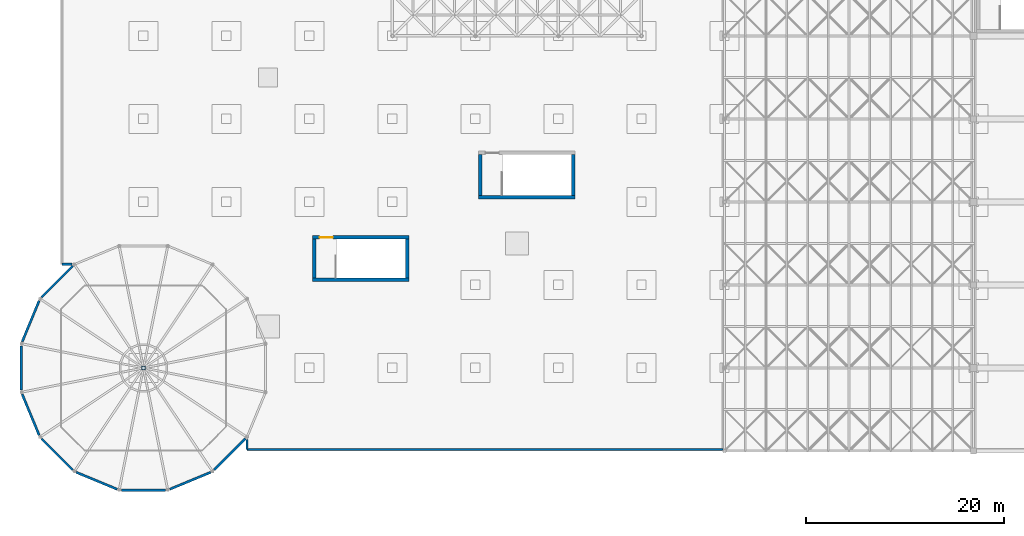
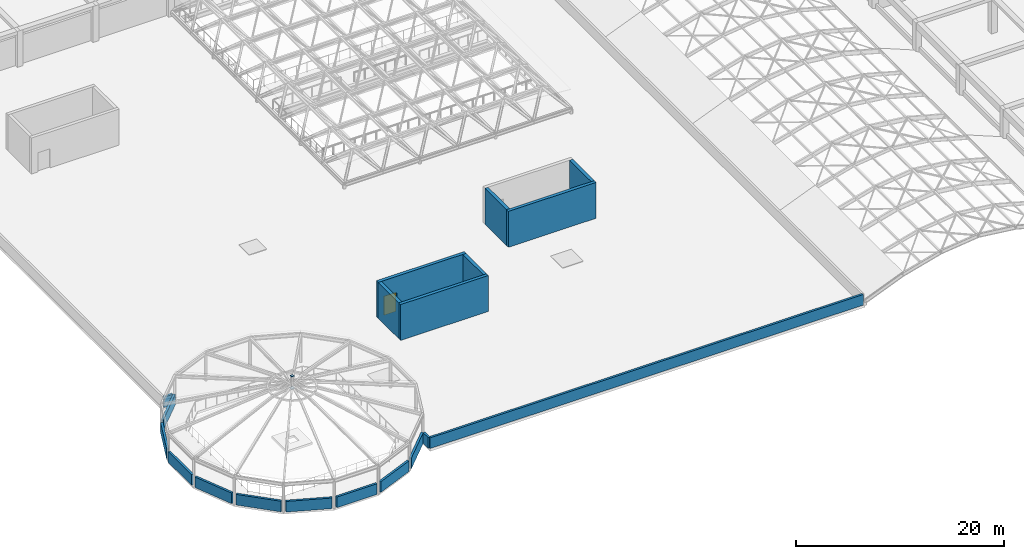
# One storey, part 73 of 85: 19 walls, 2 plates, 1 door, 1 opening.
"""IFC4 building model written with IfcOpenShell, lengths in metres."""

from ifc_helpers import new_model, si_unit, direction, frame, frame_2d, origin, origin_2d, place, context, subcontext, project, spatial, rectangle, extrude, material, layer, layer_set, type_object, element, fill, save


model = new_model("IFC4")

# Units and contexts
model_context = context("Model", 3, precision=1e-05, world=origin(), true_north=direction((0.0, 1.0)))
body_context = subcontext(model_context, "Body", "Model", "MODEL_VIEW")
ifc_project = project(units=[si_unit("LENGTHUNIT", "METRE"), si_unit("AREAUNIT", "SQUARE_METRE"), si_unit("VOLUMEUNIT", "CUBIC_METRE"), si_unit("PLANEANGLEUNIT", "RADIAN"), si_unit("MASSUNIT", "GRAM", prefix="KILO")], contexts=[model_context])

# Site, building, storey
site_placement = place(None, origin())
site = spatial("IfcSite", under=ifc_project, at=site_placement, CompositionType="ELEMENT")
building_placement = place(site_placement, origin())
building = spatial("IfcBuilding", under=site, at=building_placement, Name="Almacenes y Pasaje Nevantli", CompositionType="ELEMENT")
storey_placement = place(building_placement, frame((0.0, 0.0, 22.199951171875)))
storey = spatial("IfcBuildingStorey", under=building, at=storey_placement, Name="L05", CompositionType="ELEMENT", Elevation=22.199951171875)

# Plates
ifc_material_1 = material(Name="Steel ASTM A500 Grade C", Category="steel")
ifc_layer_1 = layer(ifc_material_1, 0.02490234375)
ifc_layer_set_1 = layer_set([ifc_layer_1], Name="Steel ASTM A500 Grade C")
plate_type_1 = type_object("IfcPlateType", Name="PL-STL-BASE25", PredefinedType="SHEET", material=ifc_layer_set_1)
plate_1_placement = place(storey_placement, frame((8.39990234375, 8.39990234375, 5.72265625), z_axis=(0.0, 0.0, 1.0), x_axis=(1.0, 0.0, 0.0)))
element("IfcPlate", 1, at=plate_1_placement, inside=storey, type_object=plate_type_1, Name="Rotunda Apex Finial Spire Welded Base Seat Plate", PredefinedType="SHEET", context=body_context, shape_type="SweptSolid", body=[
    extrude(rectangle(XDim=0.419921875, YDim=0.419921875, at=origin_2d()), origin(), (0.0, 0.0, 1.0), 0.02490234375),
])
ifc_material_2 = material(Name="Steel ASTM A500 Grade C", Category="steel")
ifc_layer_2 = layer(ifc_material_2, 0.02001953125)
ifc_layer_set_2 = layer_set([ifc_layer_2], Name="Steel ASTM A500 Grade C")
plate_type_2 = type_object("IfcPlateType", Name="PL-STL-CAP20", PredefinedType="SHEET", material=ifc_layer_set_2)
plate_2_placement = place(storey_placement, frame((8.39990234375, 8.39990234375, 7.150146484375), z_axis=(0.0, 0.0, 1.0), x_axis=(1.0, 0.0, 0.0)))
element("IfcPlate", 2, at=plate_2_placement, inside=storey, type_object=plate_type_2, Name="Rotunda Apex Finial Spire Welded Top Cap Plate", PredefinedType="SHEET", context=body_context, shape_type="SweptSolid", body=[
    extrude(rectangle(XDim=0.300048828125, YDim=0.300048828125, at=origin_2d()), origin(), (0.0, 0.0, 1.0), 0.02001953125),
])

# Wall
ifc_material_3 = material(Name="Concrete C45/55", Category="concrete")
ifc_layer_3 = layer(ifc_material_3, 0.35009765625)
ifc_layer_set_3 = layer_set([ifc_layer_3], Name="Concrete C45/55")
wall_type_1 = type_object("IfcWallType", Name="WL-CORE-350", PredefinedType="SHEAR", material=ifc_layer_set_3)
wall_1_placement = place(storey_placement, frame((25.5, 17.324951171875, 0.0), z_axis=(0.0, 0.0, 1.0), x_axis=(1.0, 0.0, 0.0)))
element("IfcWall", 3, at=wall_1_placement, inside=storey, type_object=wall_type_1, Name="L05 Exit Stair ST-04 South Core Shear Wall", PredefinedType="SHEAR", context=body_context, shape_type="SweptSolid", body=[
    extrude(rectangle(XDim=9.75, YDim=0.35009765625, at=frame_2d((4.875, 0.0))), origin(), (0.0, 0.0, 1.0), 4.219970703125),
])

# Wall, opening, door
wall_2_placement = place(storey_placement, frame((25.5, 21.625, 0.0), z_axis=(0.0, 0.0, 1.0), x_axis=(1.0, 0.0, 0.0)))
wall_2 = element("IfcWall", 4, at=wall_2_placement, inside=storey, type_object=wall_type_1, Name="L05 Exit Stair ST-04 North Core Shear Wall", PredefinedType="SHEAR", context=body_context, shape_type="SweptSolid", body=[
    extrude(rectangle(XDim=9.75, YDim=0.35009765625, at=frame_2d((4.875, 0.0))), origin(), (0.0, 0.0, 1.0), 4.219970703125),
])
opening_placement = place(wall_2_placement, frame((0.719970703125, 0.0, 0.0)))
opening = element("IfcOpeningElement", 5, at=opening_placement, cuts=wall_2, Name="Opening SD-04-L05", PredefinedType="OPENING", context=body_context, shape_type="SweptSolid", body=[
    extrude(rectangle(XDim=1.35009765625, YDim=2.25, at=frame_2d((0.675048828125, 1.125))), frame((0.0, 0.18505859375, 0.0), z_axis=(0.0, -1.0, 0.0), x_axis=(1.0, 0.0, 0.0)), (0.0, 0.0, 1.0), 0.3701171875),
])
ifc_material_4 = material(Name="Galvanized Fire-Rated Steel", Category="steel")
door_type = type_object("IfcDoorType", Name="DR-STAIR-1350R", OperationType="SINGLE_SWING_RIGHT", PredefinedType="DOOR", material=ifc_material_4)
door_placement = place(opening_placement, origin())
door = element("IfcDoor", 6, at=door_placement, inside=storey, type_object=door_type, Name="L05 Smokeproof Exit Stair ST-04 Fire Door", OperationType="SINGLE_SWING_RIGHT", OverallHeight=2.25, OverallWidth=1.35009765625, PredefinedType="DOOR", context=body_context, shape_type="SweptSolid", body=[
    extrude(rectangle(XDim=1.35009765625, YDim=2.25, at=frame_2d((0.675048828125, 1.125))), frame((0.0, 0.02490234375, 0.0), z_axis=(0.0, -1.0, 0.0), x_axis=(1.0, 0.0, 0.0)), (0.0, 0.0, 1.0), 0.050048828125),
])
fill(opening, door)

# Walls
for number, where, z_axis, x_axis, name in (
    (7, (25.675048828125, 17.5, 0.0), (0.0, 0.0, 1.0), (0.0, 1.0, 0.0), "L05 Exit Stair ST-04 West Core Shear Wall"),
    (8, (35.074951171875, 17.5, 0.0), (0.0, 0.0, 1.0), (0.0, 1.0, 0.0), "L05 Exit Stair ST-04 East Core Shear Wall"),
):
    element("IfcWall", number, at=place(storey_placement, frame(where, z_axis=z_axis, x_axis=x_axis)), inside=storey, type_object=wall_type_1, Name=name, PredefinedType="SHEAR", context=body_context, shape_type="SweptSolid", body=[
        extrude(rectangle(XDim=3.949951171875, YDim=0.35009765625, at=frame_2d((1.97509765625, 0.0))), origin(), (0.0, 0.0, 1.0), 4.219970703125),
    ])
wall_3_placement = place(storey_placement, frame((42.300048828125, 25.675048828125, 0.0), z_axis=(0.0, 0.0, 1.0), x_axis=(1.0, 0.0, 0.0)))
element("IfcWall", 9, at=wall_3_placement, inside=storey, type_object=wall_type_1, Name="L05 Exit Stair ST-14 South Core Shear Wall", PredefinedType="SHEAR", context=body_context, shape_type="SweptSolid", body=[
    extrude(rectangle(XDim=9.75, YDim=0.35009765625, at=frame_2d((4.875, 0.0))), origin(), (0.0, 0.0, 1.0), 4.219970703125),
])
for number, where, z_axis, x_axis, name in (
    (10, (42.47509765625, 25.85009765625, 0.0), (0.0, 0.0, 1.0), (0.0, 1.0, 0.0), "L05 Exit Stair ST-14 West Core Shear Wall"),
    (11, (51.875, 25.85009765625, 0.0), (0.0, 0.0, 1.0), (0.0, 1.0, 0.0), "L05 Exit Stair ST-14 East Core Shear Wall"),
):
    element("IfcWall", number, at=place(storey_placement, frame(where, z_axis=z_axis, x_axis=x_axis)), inside=storey, type_object=wall_type_1, Name=name, PredefinedType="SHEAR", context=body_context, shape_type="SweptSolid", body=[
        extrude(rectangle(XDim=4.14990234375, YDim=0.35009765625, at=frame_2d((2.074951171875, 0.0))), origin(), (0.0, 0.0, 1.0), 4.219970703125),
    ])
ifc_material_5 = material(Name="Reinforced Concrete C35/45 Roof Parapet", Category="concrete")
ifc_layer_4 = layer(ifc_material_5, 0.239990234375)
ifc_layer_set_4 = layer_set([ifc_layer_4], Name="Reinforced Concrete C35/45 Roof Parapet")
wall_type_2 = type_object("IfcWallType", Name="WL-PARAPET-240", PredefinedType="PARAPET", material=ifc_layer_set_4)
wall_4_placement = place(storey_placement, frame((1.244384765625, 18.720947265625, 0.0), z_axis=(0.0, 0.0, 1.0), x_axis=(-0.707106781187, -0.707106781187, 0.0)))
element("IfcWall", 12, at=wall_4_placement, inside=storey, type_object=wall_type_2, Name="L05 Rotunda Ring Roof Parapet Facet #6", PredefinedType="PARAPET", context=body_context, shape_type="SweptSolid", body=[
    extrude(rectangle(XDim=4.476318359375, YDim=0.239990234375, at=frame_2d((2.23828125, 0.0))), origin(), (0.0, 0.0, 1.0), 1.25),
])
wall_5_placement = place(storey_placement, frame((-2.16064453125, 15.197021484375, 0.0), z_axis=(0.0, 0.0, 1.0), x_axis=(-0.382693778497, -0.923875246935, 0.0)))
element("IfcWall", 13, at=wall_5_placement, inside=storey, type_object=wall_type_2, Name="L05 Rotunda Ring Roof Parapet Facet #7", PredefinedType="PARAPET", context=body_context, shape_type="SweptSolid", body=[
    extrude(rectangle(XDim=4.4765625, YDim=0.239990234375, at=frame_2d((2.23828125, 0.0))), origin(), (0.0, 0.0, 1.0), 1.25),
])
for number, where, z_axis, x_axis, name in (
    (14, (-3.9580078125, 10.63818359375, 0.0), (0.0, 0.0, 1.0), (0.0, -1.0, 0.0), "L05 Rotunda Ring Roof Parapet Facet #8"),
    (15, (-3.873779296875, 5.738525390625, 0.0), (0.0, 0.0, 1.0), (0.382713061944, -0.923867258981, 0.0), "L05 Rotunda Ring Roof Parapet Facet #9"),
    (16, (-1.9208984375, 1.244384765625, 0.0), (0.0, 0.0, 1.0), (0.707106781187, -0.707106781187, 0.0), "L05 Rotunda Ring Roof Parapet Facet #10"),
    (17, (1.60302734375, -2.16064453125, 0.0), (0.0, 0.0, 1.0), (0.923867258981, -0.382713061944, 0.0), "L05 Rotunda Ring Roof Parapet Facet #11"),
    (18, (6.161865234375, -3.9580078125, 0.0), (0.0, 0.0, 1.0), (1.0, 0.0, 0.0), "L05 Rotunda Ring Roof Parapet Facet #12"),
):
    element("IfcWall", number, at=place(storey_placement, frame(where, z_axis=z_axis, x_axis=x_axis)), inside=storey, type_object=wall_type_2, Name=name, PredefinedType="PARAPET", context=body_context, shape_type="SweptSolid", body=[
        extrude(rectangle(XDim=4.476318359375, YDim=0.239990234375, at=frame_2d((2.23828125, 0.0))), origin(), (0.0, 0.0, 1.0), 1.25),
    ])
wall_6_placement = place(storey_placement, frame((11.061279296875, -3.873779296875, 0.0), z_axis=(0.0, 0.0, 1.0), x_axis=(0.923875246935, 0.382693778497, 0.0)))
element("IfcWall", 19, at=wall_6_placement, inside=storey, type_object=wall_type_2, Name="L05 Rotunda Ring Roof Parapet Facet #13", PredefinedType="PARAPET", context=body_context, shape_type="SweptSolid", body=[
    extrude(rectangle(XDim=4.4765625, YDim=0.239990234375, at=frame_2d((2.23828125, 0.0))), origin(), (0.0, 0.0, 1.0), 1.25),
])
wall_7_placement = place(storey_placement, frame((15.5556640625, -1.9208984375, 0.0), z_axis=(0.0, 0.0, 1.0), x_axis=(0.707106781187, 0.707106781187, 0.0)))
element("IfcWall", 20, at=wall_7_placement, inside=storey, type_object=wall_type_2, Name="L05 Rotunda Ring Roof Parapet Facet #14", PredefinedType="PARAPET", context=body_context, shape_type="SweptSolid", body=[
    extrude(rectangle(XDim=4.476318359375, YDim=0.239990234375, at=frame_2d((2.23828125, 0.0))), origin(), (0.0, 0.0, 1.0), 1.25),
])
wall_8_placement = place(storey_placement, frame((18.8798828125, 0.14990234375, 0.0), z_axis=(0.0, 0.0, 1.0), x_axis=(1.0, 0.0, 0.0)))
element("IfcWall", 21, at=wall_8_placement, inside=storey, type_object=wall_type_2, Name="L05 West Deck South Parapet", PredefinedType="PARAPET", context=body_context, shape_type="SweptSolid", body=[
    extrude(rectangle(XDim=48.170166015625, YDim=0.239990234375, at=frame_2d((24.0849609375, 0.0))), origin(), (0.0, 0.0, 1.0), 1.25),
])
for number, where, z_axis, x_axis, name in (
    (22, (18.8798828125, 0.14990234375, 0.0), (0.0, 0.0, 1.0), (0.0, 1.0, 0.0), "L05 Rotunda South Return Parapet"),
    (23, (0.14990234375, 18.8798828125, 0.0), (0.0, 0.0, 1.0), (1.0, 0.0, 0.0), "L05 Rotunda West Return Parapet"),
):
    element("IfcWall", number, at=place(storey_placement, frame(where, z_axis=z_axis, x_axis=x_axis)), inside=storey, type_object=wall_type_2, Name=name, PredefinedType="PARAPET", context=body_context, shape_type="SweptSolid", body=[
        extrude(rectangle(XDim=1.0, YDim=0.239990234375, at=frame_2d((0.5, 0.0))), origin(), (0.0, 0.0, 1.0), 1.25),
    ])

save(model, "model.ifc")
